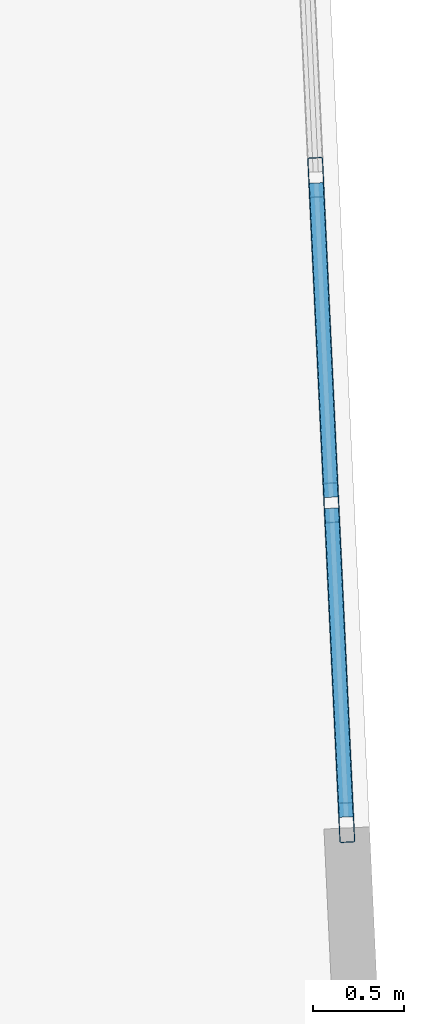
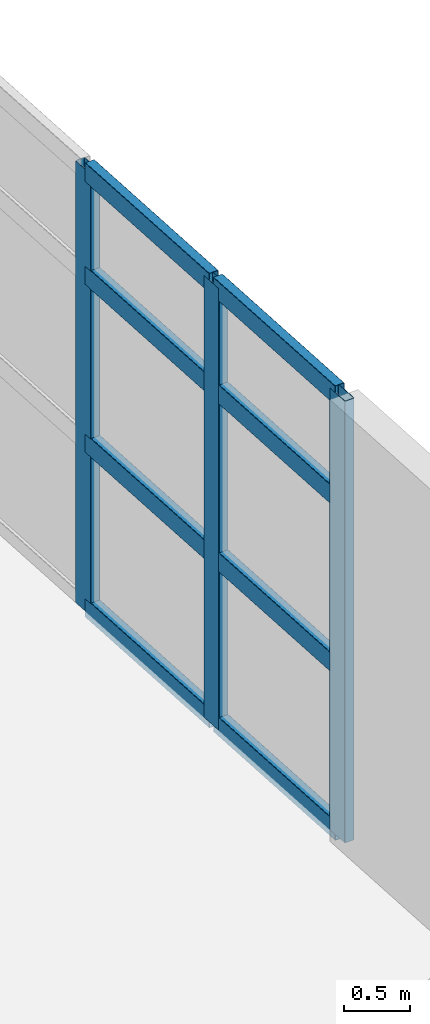
# One storey, part 7 of 22: 11 members, 1 element without a shape of its own.
"""IFC4 building model written with IfcOpenShell, lengths in metres."""

from ifc_helpers import new_model, si_unit, direction, frame, origin, origin_2d, place, context, subcontext, project, spatial, hollow_rectangle, extrude, material, layer, layer_set, material_profile, profile_set, type_object, element, aggregate, save


model = new_model("IFC4")

# Units and contexts
model_context = context("Model", 3, precision=1e-05, world=origin(), true_north=direction((0.0, 1.0)))
body_context = subcontext(model_context, "Body", "Model", "MODEL_VIEW")
ifc_project = project(units=[si_unit("LENGTHUNIT", "METRE"), si_unit("AREAUNIT", "SQUARE_METRE"), si_unit("VOLUMEUNIT", "CUBIC_METRE"), si_unit("PLANEANGLEUNIT", "RADIAN"), si_unit("MASSUNIT", "GRAM", prefix="KILO")], contexts=[model_context])

# Site, building, storey
site_placement = place(None, origin())
site = spatial("IfcSite", under=ifc_project, at=site_placement, CompositionType="ELEMENT")
building_placement = place(site_placement, origin())
building = spatial("IfcBuilding", under=site, at=building_placement, Name="Qingluan Cross Belvedere", CompositionType="ELEMENT")
storey_placement = place(building_placement, frame((0.0, 0.0, 294.0)))
storey = spatial("IfcBuildingStorey", under=building, at=storey_placement, Name="L73", CompositionType="ELEMENT", Elevation=294.0)

# Curtain wall, members
ifc_material_1 = material(Name="Thermally broken aluminium and Low-E glass", Category="aluminium")
ifc_layer = layer(ifc_material_1, 0.179931640625, Name="ObservationCW_DamperGallery")
ifc_layer_set = layer_set([ifc_layer], Name="Thermally broken aluminium and Low-E glass")
curtain_wall_type = type_object("IfcCurtainWallType", Name="ObservationCW_DamperGallery", PredefinedType="USERDEFINED", material=ifc_layer_set)
curtain_wall_placement = place(storey_placement, origin())
curtain_wall = element("IfcCurtainWall", 1, at=curtain_wall_placement, inside=storey, type_object=curtain_wall_type, Name="ObservationCW_DamperGallery run env:cw:L73:E", ObjectType="OBSERVATION GLAZING WALL", PredefinedType="USERDEFINED")
ifc_material_2 = material(Name="Aluminium alloy 6063-T6", Category="aluminium")
ifc_material_profile_1 = material_profile(ifc_material_2, hollow_rectangle(XDim=0.0849609375, YDim=0.219970703125, WallThickness=0.0048828125, InnerFilletRadius=0.0048828125, OuterFilletRadius=0.010009765625, at=origin_2d()), Name="CWM220x85x5")
ifc_profile_set_1 = profile_set([ifc_material_profile_1], Name="Aluminium alloy 6063-T6")
member_type_1 = type_object("IfcMemberType", Name="CWMullion_220", PredefinedType="MULLION", material=ifc_profile_set_1)
member_1_placement = place(storey_placement, frame((24.677490234375, -1.4873046875, 0.0), z_axis=(0.0, 0.0, 1.0), x_axis=(-0.998889034155, -0.047124276604, 0.0)))
member_1 = element("IfcMember", 2, at=member_1_placement, type_object=member_type_1, Name="CW-C1 mullion 1", PredefinedType="MULLION", context=body_context, shape_type="SweptSolid", body=[
    extrude(hollow_rectangle(XDim=0.0849609375, YDim=0.219970703125, WallThickness=0.0048828125, InnerFilletRadius=0.0048828125, OuterFilletRadius=0.010009765625, at=origin_2d()), origin(), (0.0, 0.0, 1.0), 4.06005859375),
])
member_2_placement = place(storey_placement, frame((24.5947265625, 0.26611328125, 0.0), z_axis=(0.0, 0.0, 1.0), x_axis=(-0.998889034155, -0.047124276604, 0.0)))
member_2 = element("IfcMember", 3, at=member_2_placement, type_object=member_type_1, Name="CW-C1 mullion 2", PredefinedType="MULLION", context=body_context, shape_type="SweptSolid", body=[
    extrude(hollow_rectangle(XDim=0.0849609375, YDim=0.219970703125, WallThickness=0.0048828125, InnerFilletRadius=0.0048828125, OuterFilletRadius=0.010009765625, at=origin_2d()), origin(), (0.0, 0.0, 1.0), 4.06005859375),
])
member_3_placement = place(storey_placement, frame((24.5107421875, 2.049560546875, 0.0), z_axis=(0.0, 0.0, 1.0), x_axis=(-0.998889034155, -0.047124276604, 0.0)))
member_3 = element("IfcMember", 4, at=member_3_placement, type_object=member_type_1, Name="CW-C1 mullion 3", PredefinedType="MULLION", context=body_context, shape_type="SweptSolid", body=[
    extrude(hollow_rectangle(XDim=0.0849609375, YDim=0.219970703125, WallThickness=0.0048828125, InnerFilletRadius=0.0048828125, OuterFilletRadius=0.010009765625, at=origin_2d()), origin(), (0.0, 0.0, 1.0), 4.06005859375),
])
ifc_material_3 = material(Name="Aluminium alloy 6063-T6", Category="aluminium")
ifc_material_profile_2 = material_profile(ifc_material_3, hollow_rectangle(XDim=0.0849609375, YDim=0.179931640625, WallThickness=0.00390625, InnerFilletRadius=0.00390625, OuterFilletRadius=0.008056640625, at=origin_2d()), Name="CWT180x85x4")
ifc_profile_set_2 = profile_set([ifc_material_profile_2], Name="Aluminium alloy 6063-T6")
member_type_2 = type_object("IfcMemberType", Name="CWTransom_180", PredefinedType="USERDEFINED", material=ifc_profile_set_2)
member_4_placement = place(storey_placement, frame((24.676025390625, -1.457275390625, 0.030029296875), z_axis=(-0.047093021363, 0.998890508183, 0.0), x_axis=(-0.998890508183, -0.047093021363, 0.0)))
member_4 = element("IfcMember", 5, at=member_4_placement, type_object=member_type_2, Name="CW-C1 transom 1.1", ObjectType="TRANSOM", PredefinedType="USERDEFINED", context=body_context, shape_type="SweptSolid", body=[
    extrude(hollow_rectangle(XDim=0.0849609375, YDim=0.179931640625, WallThickness=0.00390625, InnerFilletRadius=0.00390625, OuterFilletRadius=0.008056640625, at=origin_2d()), origin(), (0.0, 0.0, 1.0), 1.6953125),
])
member_5_placement = place(storey_placement, frame((24.676025390625, -1.457275390625, 1.54296875), z_axis=(-0.047093021363, 0.998890508183, 0.0), x_axis=(-0.998890508183, -0.047093021363, 0.0)))
member_5 = element("IfcMember", 6, at=member_5_placement, type_object=member_type_2, Name="CW-C1 transom 1.2", ObjectType="TRANSOM", PredefinedType="USERDEFINED", context=body_context, shape_type="SweptSolid", body=[
    extrude(hollow_rectangle(XDim=0.0849609375, YDim=0.179931640625, WallThickness=0.00390625, InnerFilletRadius=0.00390625, OuterFilletRadius=0.008056640625, at=origin_2d()), origin(), (0.0, 0.0, 1.0), 1.6953125),
])
member_6_placement = place(storey_placement, frame((24.676025390625, -1.457275390625, 3.0859375), z_axis=(-0.047093021363, 0.998890508183, 0.0), x_axis=(-0.998890508183, -0.047093021363, 0.0)))
member_6 = element("IfcMember", 7, at=member_6_placement, type_object=member_type_2, Name="CW-C1 transom 1.3", ObjectType="TRANSOM", PredefinedType="USERDEFINED", context=body_context, shape_type="SweptSolid", body=[
    extrude(hollow_rectangle(XDim=0.0849609375, YDim=0.179931640625, WallThickness=0.00390625, InnerFilletRadius=0.00390625, OuterFilletRadius=0.008056640625, at=origin_2d()), origin(), (0.0, 0.0, 1.0), 1.6953125),
])
member_7_placement = place(storey_placement, frame((24.676025390625, -1.457275390625, 4.030029296875), z_axis=(-0.047093021363, 0.998890508183, 0.0), x_axis=(-0.998890508183, -0.047093021363, 0.0)))
member_7 = element("IfcMember", 8, at=member_7_placement, type_object=member_type_2, Name="CW-C1 transom 1.4", ObjectType="TRANSOM", PredefinedType="USERDEFINED", context=body_context, shape_type="SweptSolid", body=[
    extrude(hollow_rectangle(XDim=0.0849609375, YDim=0.179931640625, WallThickness=0.00390625, InnerFilletRadius=0.00390625, OuterFilletRadius=0.008056640625, at=origin_2d()), origin(), (0.0, 0.0, 1.0), 1.6953125),
])
member_8_placement = place(storey_placement, frame((24.59326171875, 0.296142578125, 0.030029296875), z_axis=(-0.047121418511, 0.998889168986, 0.0), x_axis=(-0.998889168986, -0.047121418511, 0.0)))
member_8 = element("IfcMember", 9, at=member_8_placement, type_object=member_type_2, Name="CW-C1 transom 2.1", ObjectType="TRANSOM", PredefinedType="USERDEFINED", context=body_context, shape_type="SweptSolid", body=[
    extrude(hollow_rectangle(XDim=0.0849609375, YDim=0.179931640625, WallThickness=0.00390625, InnerFilletRadius=0.00390625, OuterFilletRadius=0.008056640625, at=origin_2d()), origin(), (0.0, 0.0, 1.0), 1.725341796875),
])
member_9_placement = place(storey_placement, frame((24.59326171875, 0.296142578125, 1.54296875), z_axis=(-0.047121418511, 0.998889168986, 0.0), x_axis=(-0.998889168986, -0.047121418511, 0.0)))
member_9 = element("IfcMember", 10, at=member_9_placement, type_object=member_type_2, Name="CW-C1 transom 2.2", ObjectType="TRANSOM", PredefinedType="USERDEFINED", context=body_context, shape_type="SweptSolid", body=[
    extrude(hollow_rectangle(XDim=0.0849609375, YDim=0.179931640625, WallThickness=0.00390625, InnerFilletRadius=0.00390625, OuterFilletRadius=0.008056640625, at=origin_2d()), origin(), (0.0, 0.0, 1.0), 1.725341796875),
])
member_10_placement = place(storey_placement, frame((24.59326171875, 0.296142578125, 3.0859375), z_axis=(-0.047121418511, 0.998889168986, 0.0), x_axis=(-0.998889168986, -0.047121418511, 0.0)))
member_10 = element("IfcMember", 11, at=member_10_placement, type_object=member_type_2, Name="CW-C1 transom 2.3", ObjectType="TRANSOM", PredefinedType="USERDEFINED", context=body_context, shape_type="SweptSolid", body=[
    extrude(hollow_rectangle(XDim=0.0849609375, YDim=0.179931640625, WallThickness=0.00390625, InnerFilletRadius=0.00390625, OuterFilletRadius=0.008056640625, at=origin_2d()), origin(), (0.0, 0.0, 1.0), 1.725341796875),
])
member_11_placement = place(storey_placement, frame((24.59326171875, 0.296142578125, 4.030029296875), z_axis=(-0.047121418511, 0.998889168986, 0.0), x_axis=(-0.998889168986, -0.047121418511, 0.0)))
member_11 = element("IfcMember", 12, at=member_11_placement, type_object=member_type_2, Name="CW-C1 transom 2.4", ObjectType="TRANSOM", PredefinedType="USERDEFINED", context=body_context, shape_type="SweptSolid", body=[
    extrude(hollow_rectangle(XDim=0.0849609375, YDim=0.179931640625, WallThickness=0.00390625, InnerFilletRadius=0.00390625, OuterFilletRadius=0.008056640625, at=origin_2d()), origin(), (0.0, 0.0, 1.0), 1.725341796875),
])
aggregate(curtain_wall, [member_1, member_2, member_3, member_4, member_5, member_6, member_7, member_8, member_9, member_10, member_11])

save(model, "model.ifc")
